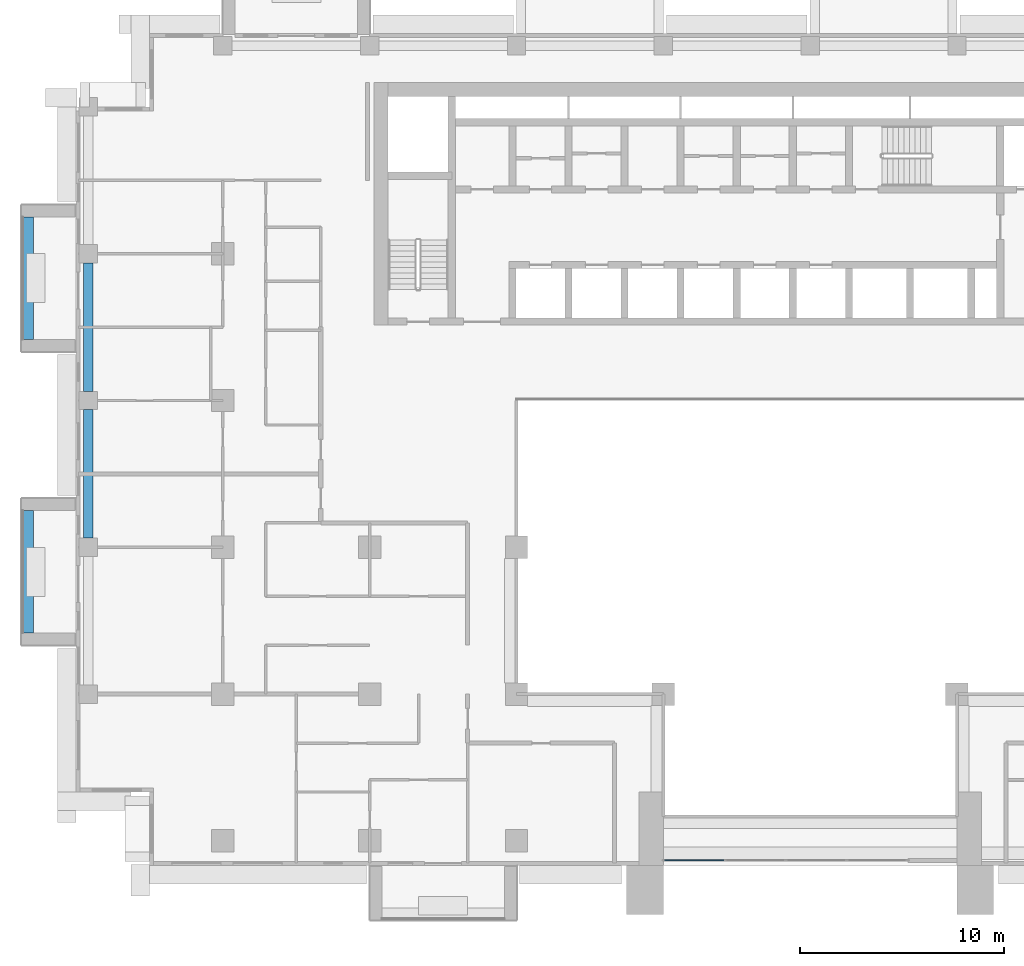
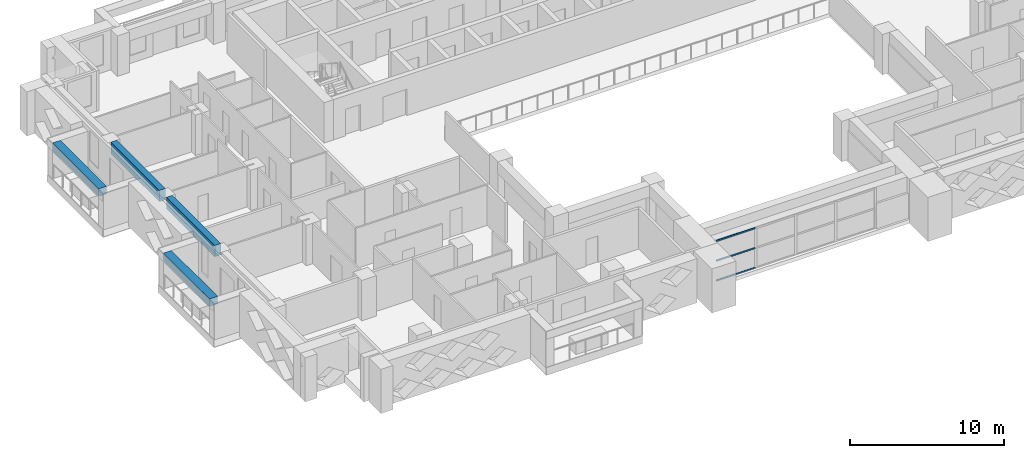
# One storey, part 3 of 20: 4 beams, 3 members, 1 element without a shape of its own.
"""IFC4 building model written with IfcOpenShell, lengths in metres."""

from ifc_helpers import new_model, si_unit, direction, frame, origin, origin_2d, place, context, subcontext, project, spatial, rectangle, extrude, source, transform, mapped, material, layer, layer_set, material_profile, profile_set, type_object, element, aggregate, save


model = new_model("IFC4")

# Units and contexts
model_context = context("Model", 3, precision=1e-05, world=origin(), true_north=direction((0.0, 1.0)))
body_context = subcontext(model_context, "Body", "Model", "MODEL_VIEW")
ifc_project = project(units=[si_unit("LENGTHUNIT", "METRE"), si_unit("AREAUNIT", "SQUARE_METRE"), si_unit("VOLUMEUNIT", "CUBIC_METRE"), si_unit("PLANEANGLEUNIT", "RADIAN"), si_unit("MASSUNIT", "GRAM", prefix="KILO")], contexts=[model_context])

# Site, building, storey
site_placement = place(None, origin())
site = spatial("IfcSite", under=ifc_project, at=site_placement, CompositionType="ELEMENT")
building_placement = place(site_placement, origin())
building = spatial("IfcBuilding", under=site, at=building_placement, Name="Saffron Iwan Residences", CompositionType="ELEMENT")
storey_placement = place(building_placement, frame((0.0, 0.0, 127.0)))
storey = spatial("IfcBuildingStorey", under=building, at=storey_placement, Name="L33", CompositionType="ELEMENT", Elevation=127.0)

# Beams
ifc_material_1 = material(Name="Concrete C50/60", Category="concrete")
ifc_material_profile_1 = material_profile(ifc_material_1, rectangle(XDim=0.449951171875, YDim=0.89990234375, at=origin_2d()), Name="RC 450x900")
ifc_profile_set_1 = profile_set([ifc_material_profile_1], Name="Concrete C50/60")
beam_type_1 = type_object("IfcBeamType", Name="SPANDREL BEAM RC 450x900 C50/60 TOP 3200", PredefinedType="SPANDREL", material=ifc_profile_set_1)
shared_shape_1 = source(origin(), body_context, "Body", "SweptSolid", [
    extrude(rectangle(XDim=0.449951171875, YDim=0.89990234375, at=origin_2d()), origin(), (0.0, 0.0, 1.0), 6.300048828125),
])
beam_1_placement = place(storey_placement, frame((15.0, 55.64990234375, 2.75), z_axis=(0.0, 1.0, 0.0), x_axis=(-1.0, 0.0, 0.0)))
element("IfcBeam", 1, at=beam_1_placement, inside=storey, type_object=beam_type_1, Name="Spandrel beam", PredefinedType="SPANDREL", context=body_context, shape_type="MappedRepresentation", body=[
    mapped(shared_shape_1, transform((0.0, 0.0, 0.0))),
])
shared_shape_2 = source(origin(), body_context, "Body", "SweptSolid", [
    extrude(rectangle(XDim=0.449951171875, YDim=0.89990234375, at=origin_2d()), origin(), (0.0, 0.0, 1.0), 6.2998046875),
])
beam_2_placement = place(storey_placement, frame((15.0, 62.85009765625, 2.75), z_axis=(0.0, 1.0, 0.0), x_axis=(-1.0, 0.0, 0.0)))
element("IfcBeam", 2, at=beam_2_placement, inside=storey, type_object=beam_type_1, Name="Spandrel beam", PredefinedType="SPANDREL", context=body_context, shape_type="MappedRepresentation", body=[
    mapped(shared_shape_2, transform((0.0, 0.0, 0.0))),
])

# Curtain wall, members
ifc_material_2 = material(Name="Clear glass, laminated double glazed", Category="glass")
ifc_layer = layer(ifc_material_2, 0.199951171875)
ifc_layer_set = layer_set([ifc_layer], Name="Clear glass, laminated double glazed")
curtain_wall_type = type_object("IfcCurtainWallType", Name="CW-B IWAN PORTAL", PredefinedType="NOTDEFINED", material=ifc_layer_set)
curtain_wall_placement = place(storey_placement, origin())
curtain_wall = element("IfcCurtainWall", 3, at=curtain_wall_placement, inside=storey, type_object=curtain_wall_type, Name="Iwan portal glazing L33.1", PredefinedType="NOTDEFINED")
ifc_material_3 = material(Name="Aluminium 6063-T6", Category="aluminium")
ifc_material_profile_2 = material_profile(ifc_material_3, rectangle(XDim=0.06005859375, YDim=0.1201171875, at=origin_2d()), Name="CW-B TRANSOM 60 x 120")
ifc_profile_set_2 = profile_set([ifc_material_profile_2], Name="Aluminium 6063-T6")
member_type = type_object("IfcMemberType", Name="CW-B TRANSOM 60 x 120", PredefinedType="USERDEFINED", material=ifc_profile_set_2)
shared_shape_3 = source(origin(), body_context, "Body", "SweptSolid", [
    extrude(rectangle(XDim=0.06005859375, YDim=0.1201171875, at=origin_2d()), origin(), (0.0, 0.0, 1.0), 2.909912109375),
])
member_1_placement = place(storey_placement, frame((43.260009765625, 39.85009765625, 0.030029296875), z_axis=(1.0, 0.0, 0.0), x_axis=(0.0, 1.0, 0.0)))
member_1 = element("IfcMember", 4, at=member_1_placement, type_object=member_type, Name="CW-B transom 1.1", ObjectType="TRANSOM", PredefinedType="USERDEFINED", context=body_context, shape_type="MappedRepresentation", body=[
    mapped(shared_shape_3, transform((0.0, 0.0, 0.0))),
])
member_2_placement = place(storey_placement, frame((43.260009765625, 39.85009765625, 1.60009765625), z_axis=(1.0, 0.0, 0.0), x_axis=(0.0, 1.0, 0.0)))
member_2 = element("IfcMember", 5, at=member_2_placement, type_object=member_type, Name="CW-B transom 1.2", ObjectType="TRANSOM", PredefinedType="USERDEFINED", context=body_context, shape_type="MappedRepresentation", body=[
    mapped(shared_shape_3, transform((0.0, 0.0, 0.0))),
])
member_3_placement = place(storey_placement, frame((43.260009765625, 39.85009765625, 3.169921875), z_axis=(1.0, 0.0, 0.0), x_axis=(0.0, 1.0, 0.0)))
member_3 = element("IfcMember", 6, at=member_3_placement, type_object=member_type, Name="CW-B transom 1.3", ObjectType="TRANSOM", PredefinedType="USERDEFINED", context=body_context, shape_type="MappedRepresentation", body=[
    mapped(shared_shape_3, transform((0.0, 0.0, 0.0))),
])
aggregate(curtain_wall, [member_1, member_2, member_3])

# Beams
ifc_material_4 = material(Name="Concrete C50/60 white painted", Category="concrete")
ifc_material_profile_3 = material_profile(ifc_material_4, rectangle(XDim=0.60009765625, YDim=0.60009765625, at=origin_2d()), Name="BALCONY FASCIA BEAM 600 x 600")
ifc_profile_set_3 = profile_set([ifc_material_profile_3], Name="Concrete C50/60 white painted")
beam_type_2 = type_object("IfcBeamType", Name="BALCONY FASCIA BEAM 600 x 600", PredefinedType="BEAM", material=ifc_profile_set_3)
shared_shape_4 = source(origin(), body_context, "Body", "SweptSolid", [
    extrude(rectangle(XDim=0.60009765625, YDim=0.60009765625, at=origin_2d()), origin(), (0.0, 0.0, 1.0), 6.0),
])
for number, where, z_axis, x_axis, name in (
    (7, (12.0, 71.39990234375, 2.550048828125), (0.0, -1.0, 0.0), (1.0, 0.0, 0.0), "Balcony fascia beam L33 F8-0"),
    (8, (12.0, 57.0, 2.550048828125), (0.0, -1.0, 0.0), (1.0, 0.0, 0.0), "Balcony fascia beam L33 F8-1"),
):
    element("IfcBeam", number, at=place(storey_placement, frame(where, z_axis=z_axis, x_axis=x_axis)), inside=storey, type_object=beam_type_2, Name=name, PredefinedType="BEAM", context=body_context, shape_type="MappedRepresentation", body=[
        mapped(shared_shape_4, transform((0.0, 0.0, 0.0))),
    ])

save(model, "model.ifc")
